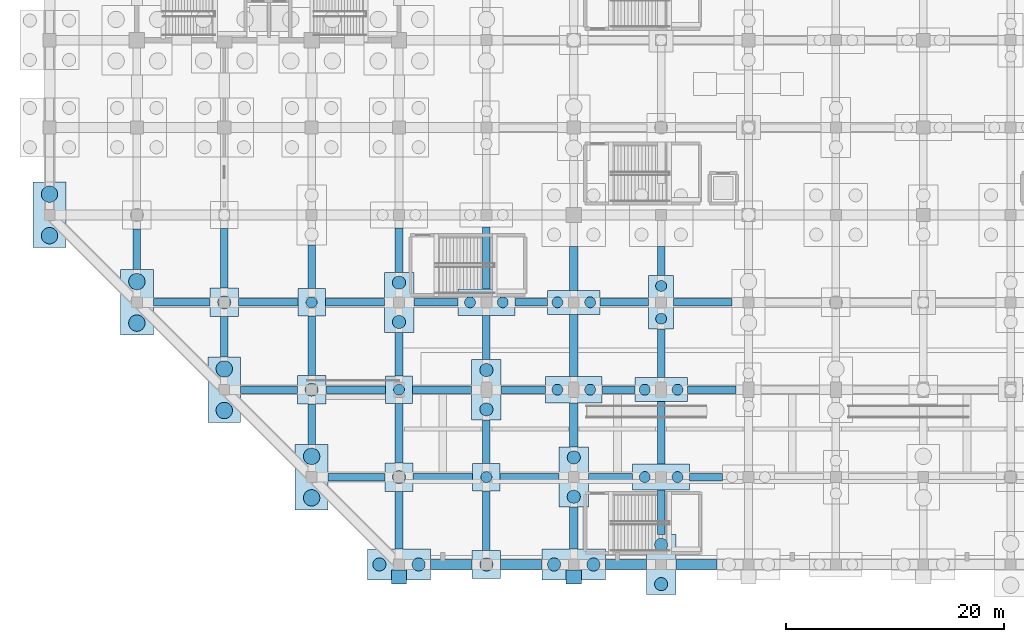
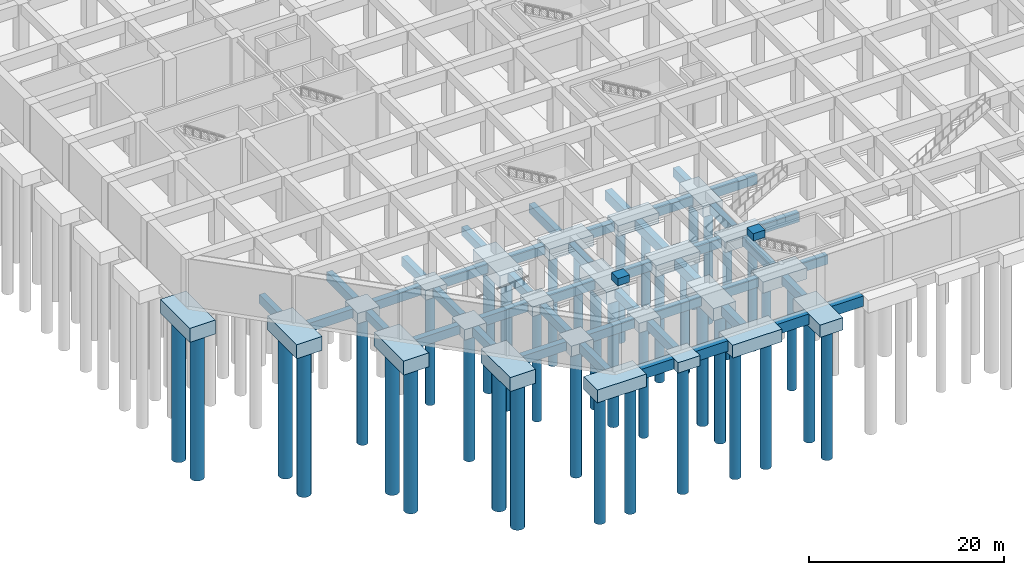
# One storey, part 1 of 26: 69 footings, 39 piles.
"""IFC4 building model written with IfcOpenShell, lengths in metres."""

from ifc_helpers import new_model, si_unit, direction, frame, origin, origin_2d, place, context, subcontext, project, spatial, rectangle, circle, extrude, material, material_profile, profile_set, type_object, element, save


model = new_model("IFC4")

# Units and contexts
model_context = context("Model", 3, precision=1e-05, world=origin(), true_north=direction((0.0, 1.0)))
body_context = subcontext(model_context, "Body", "Model", "MODEL_VIEW")
ifc_project = project(units=[si_unit("LENGTHUNIT", "METRE"), si_unit("AREAUNIT", "SQUARE_METRE"), si_unit("VOLUMEUNIT", "CUBIC_METRE"), si_unit("PLANEANGLEUNIT", "RADIAN"), si_unit("MASSUNIT", "GRAM", prefix="KILO")], contexts=[model_context])

# Site, building, storey
site_placement = place(None, origin())
site = spatial("IfcSite", under=ifc_project, at=site_placement, CompositionType="ELEMENT")
building_placement = place(site_placement, origin())
building = spatial("IfcBuilding", under=site, at=building_placement, Name="Varnela Railside Interchange", CompositionType="ELEMENT")
storey_placement = place(building_placement, frame((0.0, 0.0, -12.60009765625)))
storey = spatial("IfcBuildingStorey", under=building, at=storey_placement, Name="B2", CompositionType="ELEMENT", Elevation=-12.60009765625)

# Piles
ifc_material_1 = material(Name="Concrete C40", Category="concrete")
ifc_material_profile_1 = material_profile(ifc_material_1, circle(Radius=0.5, at=origin_2d()), Name="BORED PILE D1000")
ifc_profile_set_1 = profile_set([ifc_material_profile_1], Name="Concrete C40")
pile_type_1 = type_object("IfcPileType", Name="Bored Pile D1000 L14m", PredefinedType="BORED", material=ifc_profile_set_1)
for number, where, z_axis, x_axis, name in (
    (1, (28.0, 30.0, -2.0), (0.0, 0.0, -1.0), (1.0, 0.0, 0.0), "Bored Pile D1000 L14m"),
    (2, (36.0, 22.0, -2.0), (0.0, 0.0, -1.0), (1.0, 0.0, 0.0), "Bored Pile D1000 L14m"),
    (3, (44.0, 14.0, -2.0), (0.0, 0.0, -1.0), (1.0, 0.0, 0.0), "Bored Pile D1000 L14m"),
    (4, (42.5, 30.0, -2.199951171875), (0.0, 0.0, -1.0), (1.0, 0.0, 0.0), "Bored Pile D1000 L14m"),
    (5, (45.5, 30.0, -2.199951171875), (0.0, 0.0, -1.0), (1.0, 0.0, 0.0), "Bored Pile D1000 L14m"),
    (6, (50.5, 22.0, -2.199951171875), (0.0, 0.0, -1.0), (1.0, 0.0, 0.0), "Bored Pile D1000 L14m"),
    (7, (53.5, 22.0, -2.199951171875), (0.0, 0.0, -1.0), (1.0, 0.0, 0.0), "Bored Pile D1000 L14m"),
    (8, (50.5, 30.0, -2.099853515625), (0.0, 0.0, -1.0), (1.0, 0.0, 0.0), "Bored Pile D1000 L14m"),
    (9, (53.5, 30.0, -2.099853515625), (0.0, 0.0, -1.0), (1.0, 0.0, 0.0), "Bored Pile D1000 L14m"),
    (10, (58.5, 14.0, -2.199951171875), (0.0, 0.0, -1.0), (1.0, 0.0, 0.0), "Bored Pile D1000 L14m"),
    (11, (61.5, 14.0, -2.199951171875), (0.0, 0.0, -1.0), (1.0, 0.0, 0.0), "Bored Pile D1000 L14m"),
    (12, (58.5, 22.0, -2.099853515625), (0.0, 0.0, -1.0), (1.0, 0.0, 0.0), "Bored Pile D1000 L14m"),
    (13, (61.5, 22.0, -2.099853515625), (0.0, 0.0, -1.0), (1.0, 0.0, 0.0), "Bored Pile D1000 L14m"),
    (14, (60.0, 28.5, -2.14990234375), (0.0, 0.0, -1.0), (1.0, 0.0, 0.0), "Bored Pile D1000 L14m"),
    (15, (60.0, 31.5, -2.14990234375), (0.0, 0.0, -1.0), (1.0, 0.0, 0.0), "Bored Pile D1000 L14m"),
):
    element("IfcPile", number, at=place(storey_placement, frame(where, z_axis=z_axis, x_axis=x_axis)), inside=storey, type_object=pile_type_1, Name=name, PredefinedType="BORED", context=body_context, shape_type="SweptSolid", body=[
        extrude(circle(Radius=0.5, at=origin_2d()), origin(), (0.0, 0.0, 1.0), 14.0),
    ])
ifc_material_profile_2 = material_profile(ifc_material_1, circle(Radius=0.60009765625, at=origin_2d()), Name="BORED PILE D1200")
ifc_profile_set_2 = profile_set([ifc_material_profile_2], Name="Concrete C40")
pile_type_2 = type_object("IfcPileType", Name="Bored Pile D1200 L16m", PredefinedType="BORED", material=ifc_profile_set_2)
for number, where, z_axis, x_axis, name in (
    (16, (20.0, 30.0, -2.099853515625), (0.0, 0.0, -1.0), (1.0, 0.0, 0.0), "Bored Pile D1200 L16m"),
    (17, (28.0, 22.0, -2.099853515625), (0.0, 0.0, -1.0), (1.0, 0.0, 0.0), "Bored Pile D1200 L16m"),
    (18, (34.199951171875, 6.0, -2.39990234375), (0.0, 0.0, -1.0), (1.0, 0.0, 0.0), "Bored Pile D1200 L16m"),
    (19, (37.800048828125, 6.0, -2.39990234375), (0.0, 0.0, -1.0), (1.0, 0.0, 0.0), "Bored Pile D1200 L16m"),
    (20, (36.0, 14.0, -2.099853515625), (0.0, 0.0, -1.0), (1.0, 0.0, 0.0), "Bored Pile D1200 L16m"),
    (21, (36.0, 28.199951171875, -2.349853515625), (0.0, 0.0, -1.0), (1.0, 0.0, 0.0), "Bored Pile D1200 L16m"),
    (22, (36.0, 31.800048828125, -2.349853515625), (0.0, 0.0, -1.0), (1.0, 0.0, 0.0), "Bored Pile D1200 L16m"),
    (23, (44.0, 6.0, -2.099853515625), (0.0, 0.0, -1.0), (1.0, 0.0, 0.0), "Bored Pile D1200 L16m"),
    (24, (44.0, 20.199951171875, -2.349853515625), (0.0, 0.0, -1.0), (1.0, 0.0, 0.0), "Bored Pile D1200 L16m"),
    (25, (44.0, 23.800048828125, -2.349853515625), (0.0, 0.0, -1.0), (1.0, 0.0, 0.0), "Bored Pile D1200 L16m"),
    (26, (50.199951171875, 6.0, -2.39990234375), (0.0, 0.0, -1.0), (1.0, 0.0, 0.0), "Bored Pile D1200 L16m"),
    (27, (53.800048828125, 6.0, -2.39990234375), (0.0, 0.0, -1.0), (1.0, 0.0, 0.0), "Bored Pile D1200 L16m"),
    (28, (52.0, 12.199951171875, -2.349853515625), (0.0, 0.0, -1.0), (1.0, 0.0, 0.0), "Bored Pile D1200 L16m"),
    (29, (52.0, 15.800048828125, -2.349853515625), (0.0, 0.0, -1.0), (1.0, 0.0, 0.0), "Bored Pile D1200 L16m"),
    (30, (60.0, 4.199951171875, -2.349853515625), (0.0, 0.0, -1.0), (1.0, 0.0, 0.0), "Bored Pile D1200 L16m"),
    (31, (60.0, 7.800048828125, -2.349853515625), (0.0, 0.0, -1.0), (1.0, 0.0, 0.0), "Bored Pile D1200 L16m"),
):
    element("IfcPile", number, at=place(storey_placement, frame(where, z_axis=z_axis, x_axis=x_axis)), inside=storey, type_object=pile_type_2, Name=name, PredefinedType="BORED", context=body_context, shape_type="SweptSolid", body=[
        extrude(circle(Radius=0.60009765625, at=origin_2d()), origin(), (0.0, 0.0, 1.0), 16.0),
    ])
ifc_material_profile_3 = material_profile(ifc_material_1, circle(Radius=0.75, at=origin_2d()), Name="BORED PILE D1500")
ifc_profile_set_3 = profile_set([ifc_material_profile_3], Name="Concrete C40")
pile_type_3 = type_object("IfcPileType", Name="Bored Pile D1500 L18m", PredefinedType="BORED", material=ifc_profile_set_3)
for number, where, z_axis, x_axis, name in (
    (32, (4.0, 36.10009765625, -2.5498046875), (0.0, 0.0, -1.0), (1.0, 0.0, 0.0), "Bored Pile D1500 L18m"),
    (33, (4.0, 39.89990234375, -2.5498046875), (0.0, 0.0, -1.0), (1.0, 0.0, 0.0), "Bored Pile D1500 L18m"),
    (34, (12.0, 28.10009765625, -2.5498046875), (0.0, 0.0, -1.0), (1.0, 0.0, 0.0), "Bored Pile D1500 L18m"),
    (35, (12.0, 31.89990234375, -2.5498046875), (0.0, 0.0, -1.0), (1.0, 0.0, 0.0), "Bored Pile D1500 L18m"),
    (36, (20.0, 20.10009765625, -2.5498046875), (0.0, 0.0, -1.0), (1.0, 0.0, 0.0), "Bored Pile D1500 L18m"),
    (37, (20.0, 23.89990234375, -2.5498046875), (0.0, 0.0, -1.0), (1.0, 0.0, 0.0), "Bored Pile D1500 L18m"),
    (38, (28.0, 12.10009765625, -2.5498046875), (0.0, 0.0, -1.0), (1.0, 0.0, 0.0), "Bored Pile D1500 L18m"),
    (39, (28.0, 15.89990234375, -2.5498046875), (0.0, 0.0, -1.0), (1.0, 0.0, 0.0), "Bored Pile D1500 L18m"),
):
    element("IfcPile", number, at=place(storey_placement, frame(where, z_axis=z_axis, x_axis=x_axis)), inside=storey, type_object=pile_type_3, Name=name, PredefinedType="BORED", context=body_context, shape_type="SweptSolid", body=[
        extrude(circle(Radius=0.75, at=origin_2d()), origin(), (0.0, 0.0, 1.0), 18.0),
    ])

# Footings
ifc_material_2 = material(Name="Concrete C50", Category="concrete")
footing_type_1 = type_object("IfcFootingType", Name="Ground Tie Beam GB-01", PredefinedType="FOOTING_BEAM", material=ifc_material_2)
for number, where, z_axis, x_axis, name in (
    (40, (12.0, 34.85009765625, -1.89990234375), (0.0, 0.0, 1.0), (1.0, 0.0, 0.0), "Ground Tie Beam GB-01 (FT-0479)"),
    (41, (20.0, 26.85009765625, -1.89990234375), (0.0, 0.0, 1.0), (1.0, 0.0, 0.0), "Ground Tie Beam GB-01 (FT-0487)"),
):
    element("IfcFooting", number, at=place(storey_placement, frame(where, z_axis=z_axis, x_axis=x_axis)), inside=storey, type_object=footing_type_1, Name=name, PredefinedType="FOOTING_BEAM", context=body_context, shape_type="SweptSolid", body=[
        extrude(rectangle(XDim=0.699951171875, YDim=3.699951171875, at=origin_2d()), origin(), (0.0, 0.0, 1.0), 1.10009765625),
    ])
footing_1_placement = place(storey_placement, frame((20.0, 34.02490234375, -1.89990234375), z_axis=(0.0, 0.0, 1.0), x_axis=(1.0, 0.0, 0.0)))
element("IfcFooting", 42, at=footing_1_placement, inside=storey, type_object=footing_type_1, Name="Ground Tie Beam GB-01 (FT-0488)", PredefinedType="FOOTING_BEAM", context=body_context, shape_type="SweptSolid", body=[
    extrude(rectangle(XDim=0.699951171875, YDim=5.449951171875, at=origin_2d()), origin(), (0.0, 0.0, 1.0), 1.10009765625),
])
footing_2_placement = place(storey_placement, frame((28.0, 18.85009765625, -1.89990234375), z_axis=(0.0, 0.0, 1.0), x_axis=(1.0, 0.0, 0.0)))
element("IfcFooting", 43, at=footing_2_placement, inside=storey, type_object=footing_type_1, Name="Ground Tie Beam GB-01 (FT-0493)", PredefinedType="FOOTING_BEAM", context=body_context, shape_type="SweptSolid", body=[
    extrude(rectangle(XDim=0.699951171875, YDim=3.699951171875, at=origin_2d()), origin(), (0.0, 0.0, 1.0), 1.10009765625),
])
footing_3_placement = place(storey_placement, frame((28.0, 26.02490234375, -1.89990234375), z_axis=(0.0, 0.0, 1.0), x_axis=(1.0, 0.0, 0.0)))
element("IfcFooting", 44, at=footing_3_placement, inside=storey, type_object=footing_type_1, Name="Ground Tie Beam GB-01 (FT-0495)", PredefinedType="FOOTING_BEAM", context=body_context, shape_type="SweptSolid", body=[
    extrude(rectangle(XDim=0.699951171875, YDim=5.449951171875, at=origin_2d()), origin(), (0.0, 0.0, 1.0), 1.10009765625),
])
footing_4_placement = place(storey_placement, frame((28.0, 33.25, -1.89990234375), z_axis=(0.0, 0.0, 1.0), x_axis=(1.0, 0.0, 0.0)))
element("IfcFooting", 45, at=footing_4_placement, inside=storey, type_object=footing_type_1, Name="Ground Tie Beam GB-01 (FT-0496)", PredefinedType="FOOTING_BEAM", context=body_context, shape_type="SweptSolid", body=[
    extrude(rectangle(XDim=0.699951171875, YDim=4.0, at=origin_2d()), origin(), (0.0, 0.0, 1.0), 1.10009765625),
])
footing_5_placement = place(storey_placement, frame((36.0, 10.050048828125, -1.89990234375), z_axis=(0.0, 0.0, 1.0), x_axis=(1.0, 0.0, 0.0)))
element("IfcFooting", 46, at=footing_5_placement, inside=storey, type_object=footing_type_1, Name="Ground Tie Beam GB-01 (FT-0501)", PredefinedType="FOOTING_BEAM", context=body_context, shape_type="SweptSolid", body=[
    extrude(rectangle(XDim=0.699951171875, YDim=5.300048828125, at=origin_2d()), origin(), (0.0, 0.0, 1.0), 1.10009765625),
])
footing_6_placement = place(storey_placement, frame((36.0, 18.02490234375, -1.89990234375), z_axis=(0.0, 0.0, 1.0), x_axis=(1.0, 0.0, 0.0)))
element("IfcFooting", 47, at=footing_6_placement, inside=storey, type_object=footing_type_1, Name="Ground Tie Beam GB-01 (FT-0502)", PredefinedType="FOOTING_BEAM", context=body_context, shape_type="SweptSolid", body=[
    extrude(rectangle(XDim=0.699951171875, YDim=5.449951171875, at=origin_2d()), origin(), (0.0, 0.0, 1.0), 1.10009765625),
])
footing_7_placement = place(storey_placement, frame((36.0, 25.25, -1.89990234375), z_axis=(0.0, 0.0, 1.0), x_axis=(1.0, 0.0, 0.0)))
element("IfcFooting", 48, at=footing_7_placement, inside=storey, type_object=footing_type_1, Name="Ground Tie Beam GB-01 (FT-0504)", PredefinedType="FOOTING_BEAM", context=body_context, shape_type="SweptSolid", body=[
    extrude(rectangle(XDim=0.699951171875, YDim=4.0, at=origin_2d()), origin(), (0.0, 0.0, 1.0), 1.10009765625),
])
footing_8_placement = place(storey_placement, frame((36.0, 34.77490234375, -1.89990234375), z_axis=(0.0, 0.0, 1.0), x_axis=(1.0, 0.0, 0.0)))
element("IfcFooting", 49, at=footing_8_placement, inside=storey, type_object=footing_type_1, Name="Ground Tie Beam GB-01 (FT-0505)", PredefinedType="FOOTING_BEAM", context=body_context, shape_type="SweptSolid", body=[
    extrude(rectangle(XDim=0.699951171875, YDim=4.050048828125, at=origin_2d()), origin(), (0.0, 0.0, 1.0), 1.10009765625),
])
footing_9_placement = place(storey_placement, frame((44.0, 10.02490234375, -1.89990234375), z_axis=(0.0, 0.0, 1.0), x_axis=(1.0, 0.0, 0.0)))
element("IfcFooting", 50, at=footing_9_placement, inside=storey, type_object=footing_type_1, Name="Ground Tie Beam GB-01 (FT-0512)", PredefinedType="FOOTING_BEAM", context=body_context, shape_type="SweptSolid", body=[
    extrude(rectangle(XDim=0.699951171875, YDim=5.449951171875, at=origin_2d()), origin(), (0.0, 0.0, 1.0), 1.10009765625),
])
footing_10_placement = place(storey_placement, frame((44.0, 17.25, -1.89990234375), z_axis=(0.0, 0.0, 1.0), x_axis=(1.0, 0.0, 0.0)))
element("IfcFooting", 51, at=footing_10_placement, inside=storey, type_object=footing_type_1, Name="Ground Tie Beam GB-01 (FT-0513)", PredefinedType="FOOTING_BEAM", context=body_context, shape_type="SweptSolid", body=[
    extrude(rectangle(XDim=0.699951171875, YDim=4.0, at=origin_2d()), origin(), (0.0, 0.0, 1.0), 1.10009765625),
])
footing_11_placement = place(storey_placement, frame((44.0, 26.77490234375, -1.89990234375), z_axis=(0.0, 0.0, 1.0), x_axis=(1.0, 0.0, 0.0)))
element("IfcFooting", 52, at=footing_11_placement, inside=storey, type_object=footing_type_1, Name="Ground Tie Beam GB-01 (FT-0515)", PredefinedType="FOOTING_BEAM", context=body_context, shape_type="SweptSolid", body=[
    extrude(rectangle(XDim=0.699951171875, YDim=4.050048828125, at=origin_2d()), origin(), (0.0, 0.0, 1.0), 1.10009765625),
])
footing_12_placement = place(storey_placement, frame((44.0, 34.050048828125, -1.89990234375), z_axis=(0.0, 0.0, 1.0), x_axis=(1.0, 0.0, 0.0)))
element("IfcFooting", 53, at=footing_12_placement, inside=storey, type_object=footing_type_1, Name="Ground Tie Beam GB-01 (FT-0516)", PredefinedType="FOOTING_BEAM", context=body_context, shape_type="SweptSolid", body=[
    extrude(rectangle(XDim=0.699951171875, YDim=5.699951171875, at=origin_2d()), origin(), (0.0, 0.0, 1.0), 1.10009765625),
])
footing_13_placement = place(storey_placement, frame((60.0, 10.77490234375, -1.89990234375), z_axis=(0.0, 0.0, 1.0), x_axis=(1.0, 0.0, 0.0)))
element("IfcFooting", 54, at=footing_13_placement, inside=storey, type_object=footing_type_1, Name="Ground Tie Beam GB-01 (FT-0534)", PredefinedType="FOOTING_BEAM", context=body_context, shape_type="SweptSolid", body=[
    extrude(rectangle(XDim=0.699951171875, YDim=4.050048828125, at=origin_2d()), origin(), (0.0, 0.0, 1.0), 1.10009765625),
])
footing_14_placement = place(storey_placement, frame((60.0, 18.050048828125, -1.89990234375), z_axis=(0.0, 0.0, 1.0), x_axis=(1.0, 0.0, 0.0)))
element("IfcFooting", 55, at=footing_14_placement, inside=storey, type_object=footing_type_1, Name="Ground Tie Beam GB-01 (FT-0535)", PredefinedType="FOOTING_BEAM", context=body_context, shape_type="SweptSolid", body=[
    extrude(rectangle(XDim=0.699951171875, YDim=5.699951171875, at=origin_2d()), origin(), (0.0, 0.0, 1.0), 1.10009765625),
])
footing_15_placement = place(storey_placement, frame((60.0, 25.324951171875, -1.89990234375), z_axis=(0.0, 0.0, 1.0), x_axis=(1.0, 0.0, 0.0)))
element("IfcFooting", 56, at=footing_15_placement, inside=storey, type_object=footing_type_1, Name="Ground Tie Beam GB-01 (FT-0536)", PredefinedType="FOOTING_BEAM", context=body_context, shape_type="SweptSolid", body=[
    extrude(rectangle(XDim=0.699951171875, YDim=4.449951171875, at=origin_2d()), origin(), (0.0, 0.0, 1.0), 1.10009765625),
])
footing_16_placement = place(storey_placement, frame((60.0, 33.77490234375, -1.89990234375), z_axis=(0.0, 0.0, 1.0), x_axis=(1.0, 0.0, 0.0)))
element("IfcFooting", 57, at=footing_16_placement, inside=storey, type_object=footing_type_1, Name="Ground Tie Beam GB-01 (FT-0537)", PredefinedType="FOOTING_BEAM", context=body_context, shape_type="SweptSolid", body=[
    extrude(rectangle(XDim=0.699951171875, YDim=2.64990234375, at=origin_2d()), origin(), (0.0, 0.0, 1.0), 1.10009765625),
])
footing_17_placement = place(storey_placement, frame((32.10009765625, 14.0, -1.89990234375), z_axis=(0.0, 0.0, 1.0), x_axis=(1.0, 0.0, 0.0)))
element("IfcFooting", 58, at=footing_17_placement, inside=storey, type_object=footing_type_1, Name="Ground Tie Beam GB-01 (FT-0227)", PredefinedType="FOOTING_BEAM", context=body_context, shape_type="SweptSolid", body=[
    extrude(rectangle(XDim=5.199951171875, YDim=0.699951171875, at=origin_2d()), origin(), (0.0, 0.0, 1.0), 1.10009765625),
])
footing_18_placement = place(storey_placement, frame((40.02490234375, 14.0, -1.89990234375), z_axis=(0.0, 0.0, 1.0), x_axis=(1.0, 0.0, 0.0)))
element("IfcFooting", 59, at=footing_18_placement, inside=storey, type_object=footing_type_1, Name="Ground Tie Beam GB-01 (FT-0228)", PredefinedType="FOOTING_BEAM", context=body_context, shape_type="SweptSolid", body=[
    extrude(rectangle(XDim=5.449951171875, YDim=0.699951171875, at=origin_2d()), origin(), (0.0, 0.0, 1.0), 1.10009765625),
])
footing_19_placement = place(storey_placement, frame((47.949951171875, 14.0, -1.89990234375), z_axis=(0.0, 0.0, 1.0), x_axis=(1.0, 0.0, 0.0)))
element("IfcFooting", 60, at=footing_19_placement, inside=storey, type_object=footing_type_1, Name="Ground Tie Beam GB-01 (FT-0229)", PredefinedType="FOOTING_BEAM", context=body_context, shape_type="SweptSolid", body=[
    extrude(rectangle(XDim=5.39990234375, YDim=0.699951171875, at=origin_2d()), origin(), (0.0, 0.0, 1.0), 1.10009765625),
])
footing_20_placement = place(storey_placement, frame((55.375, 14.0, -1.89990234375), z_axis=(0.0, 0.0, 1.0), x_axis=(1.0, 0.0, 0.0)))
element("IfcFooting", 61, at=footing_20_placement, inside=storey, type_object=footing_type_1, Name="Ground Tie Beam GB-01 (FT-0230)", PredefinedType="FOOTING_BEAM", context=body_context, shape_type="SweptSolid", body=[
    extrude(rectangle(XDim=4.050048828125, YDim=0.699951171875, at=origin_2d()), origin(), (0.0, 0.0, 1.0), 1.10009765625),
])
footing_21_placement = place(storey_placement, frame((64.10009765625, 14.0, -1.89990234375), z_axis=(0.0, 0.0, 1.0), x_axis=(1.0, 0.0, 0.0)))
element("IfcFooting", 62, at=footing_21_placement, inside=storey, type_object=footing_type_1, Name="Ground Tie Beam GB-01 (FT-0231)", PredefinedType="FOOTING_BEAM", context=body_context, shape_type="SweptSolid", body=[
    extrude(rectangle(XDim=3.0, YDim=0.699951171875, at=origin_2d()), origin(), (0.0, 0.0, 1.0), 1.10009765625),
])
footing_22_placement = place(storey_placement, frame((24.10009765625, 22.0, -1.89990234375), z_axis=(0.0, 0.0, 1.0), x_axis=(1.0, 0.0, 0.0)))
element("IfcFooting", 63, at=footing_22_placement, inside=storey, type_object=footing_type_1, Name="Ground Tie Beam GB-01 (FT-0242)", PredefinedType="FOOTING_BEAM", context=body_context, shape_type="SweptSolid", body=[
    extrude(rectangle(XDim=5.199951171875, YDim=0.699951171875, at=origin_2d()), origin(), (0.0, 0.0, 1.0), 1.10009765625),
])
footing_23_placement = place(storey_placement, frame((32.02490234375, 22.0, -1.89990234375), z_axis=(0.0, 0.0, 1.0), x_axis=(1.0, 0.0, 0.0)))
element("IfcFooting", 64, at=footing_23_placement, inside=storey, type_object=footing_type_1, Name="Ground Tie Beam GB-01 (FT-0243)", PredefinedType="FOOTING_BEAM", context=body_context, shape_type="SweptSolid", body=[
    extrude(rectangle(XDim=5.449951171875, YDim=0.699951171875, at=origin_2d()), origin(), (0.0, 0.0, 1.0), 1.10009765625),
])
footing_24_placement = place(storey_placement, frame((39.949951171875, 22.0, -1.89990234375), z_axis=(0.0, 0.0, 1.0), x_axis=(1.0, 0.0, 0.0)))
element("IfcFooting", 65, at=footing_24_placement, inside=storey, type_object=footing_type_1, Name="Ground Tie Beam GB-01 (FT-0244)", PredefinedType="FOOTING_BEAM", context=body_context, shape_type="SweptSolid", body=[
    extrude(rectangle(XDim=5.39990234375, YDim=0.699951171875, at=origin_2d()), origin(), (0.0, 0.0, 1.0), 1.10009765625),
])
footing_25_placement = place(storey_placement, frame((47.375, 22.0, -1.89990234375), z_axis=(0.0, 0.0, 1.0), x_axis=(1.0, 0.0, 0.0)))
element("IfcFooting", 66, at=footing_25_placement, inside=storey, type_object=footing_type_1, Name="Ground Tie Beam GB-01 (FT-0245)", PredefinedType="FOOTING_BEAM", context=body_context, shape_type="SweptSolid", body=[
    extrude(rectangle(XDim=4.050048828125, YDim=0.699951171875, at=origin_2d()), origin(), (0.0, 0.0, 1.0), 1.10009765625),
])
footing_26_placement = place(storey_placement, frame((56.10009765625, 22.0, -1.89990234375), z_axis=(0.0, 0.0, 1.0), x_axis=(1.0, 0.0, 0.0)))
element("IfcFooting", 67, at=footing_26_placement, inside=storey, type_object=footing_type_1, Name="Ground Tie Beam GB-01 (FT-0246)", PredefinedType="FOOTING_BEAM", context=body_context, shape_type="SweptSolid", body=[
    extrude(rectangle(XDim=3.0, YDim=0.699951171875, at=origin_2d()), origin(), (0.0, 0.0, 1.0), 1.10009765625),
])
footing_27_placement = place(storey_placement, frame((64.625, 22.0, -1.89990234375), z_axis=(0.0, 0.0, 1.0), x_axis=(1.0, 0.0, 0.0)))
element("IfcFooting", 68, at=footing_27_placement, inside=storey, type_object=footing_type_1, Name="Ground Tie Beam GB-01 (FT-0247)", PredefinedType="FOOTING_BEAM", context=body_context, shape_type="SweptSolid", body=[
    extrude(rectangle(XDim=4.449951171875, YDim=0.699951171875, at=origin_2d()), origin(), (0.0, 0.0, 1.0), 1.10009765625),
])
footing_28_placement = place(storey_placement, frame((16.10009765625, 30.0, -1.89990234375), z_axis=(0.0, 0.0, 1.0), x_axis=(1.0, 0.0, 0.0)))
element("IfcFooting", 69, at=footing_28_placement, inside=storey, type_object=footing_type_1, Name="Ground Tie Beam GB-01 (FT-0250)", PredefinedType="FOOTING_BEAM", context=body_context, shape_type="SweptSolid", body=[
    extrude(rectangle(XDim=5.199951171875, YDim=0.699951171875, at=origin_2d()), origin(), (0.0, 0.0, 1.0), 1.10009765625),
])
footing_29_placement = place(storey_placement, frame((24.02490234375, 30.0, -1.89990234375), z_axis=(0.0, 0.0, 1.0), x_axis=(1.0, 0.0, 0.0)))
element("IfcFooting", 70, at=footing_29_placement, inside=storey, type_object=footing_type_1, Name="Ground Tie Beam GB-01 (FT-0260)", PredefinedType="FOOTING_BEAM", context=body_context, shape_type="SweptSolid", body=[
    extrude(rectangle(XDim=5.449951171875, YDim=0.699951171875, at=origin_2d()), origin(), (0.0, 0.0, 1.0), 1.10009765625),
])
footing_30_placement = place(storey_placement, frame((31.949951171875, 30.0, -1.89990234375), z_axis=(0.0, 0.0, 1.0), x_axis=(1.0, 0.0, 0.0)))
element("IfcFooting", 71, at=footing_30_placement, inside=storey, type_object=footing_type_1, Name="Ground Tie Beam GB-01 (FT-0261)", PredefinedType="FOOTING_BEAM", context=body_context, shape_type="SweptSolid", body=[
    extrude(rectangle(XDim=5.39990234375, YDim=0.699951171875, at=origin_2d()), origin(), (0.0, 0.0, 1.0), 1.10009765625),
])
footing_31_placement = place(storey_placement, frame((39.375, 30.0, -1.89990234375), z_axis=(0.0, 0.0, 1.0), x_axis=(1.0, 0.0, 0.0)))
element("IfcFooting", 72, at=footing_31_placement, inside=storey, type_object=footing_type_1, Name="Ground Tie Beam GB-01 (FT-0262)", PredefinedType="FOOTING_BEAM", context=body_context, shape_type="SweptSolid", body=[
    extrude(rectangle(XDim=4.050048828125, YDim=0.699951171875, at=origin_2d()), origin(), (0.0, 0.0, 1.0), 1.10009765625),
])
footing_32_placement = place(storey_placement, frame((48.10009765625, 30.0, -1.89990234375), z_axis=(0.0, 0.0, 1.0), x_axis=(1.0, 0.0, 0.0)))
element("IfcFooting", 73, at=footing_32_placement, inside=storey, type_object=footing_type_1, Name="Ground Tie Beam GB-01 (FT-0263)", PredefinedType="FOOTING_BEAM", context=body_context, shape_type="SweptSolid", body=[
    extrude(rectangle(XDim=3.0, YDim=0.699951171875, at=origin_2d()), origin(), (0.0, 0.0, 1.0), 1.10009765625),
])
footing_33_placement = place(storey_placement, frame((56.625, 30.0, -1.89990234375), z_axis=(0.0, 0.0, 1.0), x_axis=(1.0, 0.0, 0.0)))
element("IfcFooting", 74, at=footing_33_placement, inside=storey, type_object=footing_type_1, Name="Ground Tie Beam GB-01 (FT-0264)", PredefinedType="FOOTING_BEAM", context=body_context, shape_type="SweptSolid", body=[
    extrude(rectangle(XDim=4.449951171875, YDim=0.699951171875, at=origin_2d()), origin(), (0.0, 0.0, 1.0), 1.10009765625),
])
footing_34_placement = place(storey_placement, frame((63.824951171875, 30.0, -1.89990234375), z_axis=(0.0, 0.0, 1.0), x_axis=(1.0, 0.0, 0.0)))
element("IfcFooting", 75, at=footing_34_placement, inside=storey, type_object=footing_type_1, Name="Ground Tie Beam GB-01 (FT-0265)", PredefinedType="FOOTING_BEAM", context=body_context, shape_type="SweptSolid", body=[
    extrude(rectangle(XDim=5.35009765625, YDim=0.699951171875, at=origin_2d()), origin(), (0.0, 0.0, 1.0), 1.10009765625),
])
footing_type_2 = type_object("IfcFootingType", Name="Ground Tie Beam GB-02", PredefinedType="FOOTING_BEAM", material=ifc_material_2)
footing_35_placement = place(storey_placement, frame((52.0, 9.324951171875, -2.0), z_axis=(0.0, 0.0, 1.0), x_axis=(1.0, 0.0, 0.0)))
element("IfcFooting", 76, at=footing_35_placement, inside=storey, type_object=footing_type_2, Name="Ground Tie Beam GB-02 (FT-0523)", PredefinedType="FOOTING_BEAM", context=body_context, shape_type="SweptSolid", body=[
    extrude(rectangle(XDim=0.800048828125, YDim=3.85009765625, at=origin_2d()), origin(), (0.0, 0.0, 1.0), 1.199951171875),
])
footing_36_placement = place(storey_placement, frame((52.0, 18.77490234375, -2.0), z_axis=(0.0, 0.0, 1.0), x_axis=(1.0, 0.0, 0.0)))
element("IfcFooting", 77, at=footing_36_placement, inside=storey, type_object=footing_type_2, Name="Ground Tie Beam GB-02 (FT-0524)", PredefinedType="FOOTING_BEAM", context=body_context, shape_type="SweptSolid", body=[
    extrude(rectangle(XDim=0.800048828125, YDim=4.050048828125, at=origin_2d()), origin(), (0.0, 0.0, 1.0), 1.199951171875),
])
footing_37_placement = place(storey_placement, frame((52.0, 26.050048828125, -2.0), z_axis=(0.0, 0.0, 1.0), x_axis=(1.0, 0.0, 0.0)))
element("IfcFooting", 78, at=footing_37_placement, inside=storey, type_object=footing_type_2, Name="Ground Tie Beam GB-02 (FT-0526)", PredefinedType="FOOTING_BEAM", context=body_context, shape_type="SweptSolid", body=[
    extrude(rectangle(XDim=0.800048828125, YDim=5.699951171875, at=origin_2d()), origin(), (0.0, 0.0, 1.0), 1.199951171875),
])
footing_38_placement = place(storey_placement, frame((52.0, 33.10009765625, -2.0), z_axis=(0.0, 0.0, 1.0), x_axis=(1.0, 0.0, 0.0)))
element("IfcFooting", 79, at=footing_38_placement, inside=storey, type_object=footing_type_2, Name="Ground Tie Beam GB-02 (FT-0527)", PredefinedType="FOOTING_BEAM", context=body_context, shape_type="SweptSolid", body=[
    extrude(rectangle(XDim=0.800048828125, YDim=4.0, at=origin_2d()), origin(), (0.0, 0.0, 1.0), 1.199951171875),
])
footing_type_3 = type_object("IfcFootingType", Name="Ground Tie Beam GB-03", PredefinedType="FOOTING_BEAM", material=ifc_material_2)
for number, where, z_axis, x_axis, name in (
    (80, (40.800048828125, 6.0, -2.10009765625), (0.0, 0.0, 1.0), (1.0, 0.0, 0.0), "Ground Tie Beam GB-03 (FT-0214)"),
    (81, (47.199951171875, 6.0, -2.10009765625), (0.0, 0.0, 1.0), (1.0, 0.0, 0.0), "Ground Tie Beam GB-03 (FT-0215)"),
):
    element("IfcFooting", number, at=place(storey_placement, frame(where, z_axis=z_axis, x_axis=x_axis)), inside=storey, type_object=footing_type_3, Name=name, PredefinedType="FOOTING_BEAM", context=body_context, shape_type="SweptSolid", body=[
        extrude(rectangle(XDim=3.800048828125, YDim=0.89990234375, at=origin_2d()), origin(), (0.0, 0.0, 1.0), 1.300048828125),
    ])
for number, where, z_axis, x_axis, name in (
    (82, (56.77490234375, 6.0, -2.10009765625), (0.0, 0.0, 1.0), (1.0, 0.0, 0.0), "Ground Tie Beam GB-03 (FT-0216)"),
    (83, (63.22509765625, 6.0, -2.10009765625), (0.0, 0.0, 1.0), (1.0, 0.0, 0.0), "Ground Tie Beam GB-03 (FT-0217)"),
):
    element("IfcFooting", number, at=place(storey_placement, frame(where, z_axis=z_axis, x_axis=x_axis)), inside=storey, type_object=footing_type_3, Name=name, PredefinedType="FOOTING_BEAM", context=body_context, shape_type="SweptSolid", body=[
        extrude(rectangle(XDim=3.75, YDim=0.89990234375, at=origin_2d()), origin(), (0.0, 0.0, 1.0), 1.300048828125),
    ])
footing_type_4 = type_object("IfcFootingType", Name="Portal Plinth Pad AP-03", PredefinedType="PAD_FOOTING", material=ifc_material_2)
for number, where, z_axis, x_axis, name in (
    (84, (36.0, 4.85009765625, 11.7001953125), (0.0, 0.0, 1.0), (1.0, 0.0, 0.0), "Portal Plinth Pad AP-03 (FT-0555)"),
    (85, (52.0, 4.85009765625, 11.7001953125), (0.0, 0.0, 1.0), (1.0, 0.0, 0.0), "Portal Plinth Pad AP-03 (FT-0556)"),
):
    element("IfcFooting", number, at=place(storey_placement, frame(where, z_axis=z_axis, x_axis=x_axis)), inside=storey, type_object=footing_type_4, Name=name, PredefinedType="PAD_FOOTING", context=body_context, shape_type="SweptSolid", body=[
        extrude(rectangle(XDim=1.39990234375, YDim=1.300048828125, at=origin_2d()), origin(), (0.0, 0.0, 1.0), 0.89990234375),
    ])
footing_type_5 = type_object("IfcFootingType", Name="Single Large Pile Cap PC-07", PredefinedType="PILE_CAP", material=ifc_material_2)
for number, where, z_axis, x_axis, name in (
    (86, (20.0, 30.0, -2.10009765625), (0.0, 0.0, 1.0), (1.0, 0.0, 0.0), "Single Large Pile Cap PC-07 (FT-0131)"),
    (87, (28.0, 22.0, -2.10009765625), (0.0, 0.0, 1.0), (1.0, 0.0, 0.0), "Single Large Pile Cap PC-07 (FT-0140)"),
    (88, (36.0, 14.0, -2.10009765625), (0.0, 0.0, 1.0), (1.0, 0.0, 0.0), "Single Large Pile Cap PC-07 (FT-0150)"),
    (89, (44.0, 6.0, -2.10009765625), (0.0, 0.0, 1.0), (1.0, 0.0, 0.0), "Single Large Pile Cap PC-07 (FT-0161)"),
):
    element("IfcFooting", number, at=place(storey_placement, frame(where, z_axis=z_axis, x_axis=x_axis)), inside=storey, type_object=footing_type_5, Name=name, PredefinedType="PILE_CAP", context=body_context, shape_type="SweptSolid", body=[
        extrude(rectangle(XDim=2.60009765625, YDim=2.60009765625, at=origin_2d()), origin(), (0.0, 0.0, 1.0), 1.300048828125),
    ])
footing_type_6 = type_object("IfcFootingType", Name="Single Pile Cap PC-02", PredefinedType="PILE_CAP", material=ifc_material_2)
for number, where, z_axis, x_axis, name in (
    (90, (28.0, 30.0, -2.0), (0.0, 0.0, 1.0), (1.0, 0.0, 0.0), "Single Pile Cap PC-02 (FT-0141)"),
    (91, (36.0, 22.0, -2.0), (0.0, 0.0, 1.0), (1.0, 0.0, 0.0), "Single Pile Cap PC-02 (FT-0151)"),
    (92, (44.0, 14.0, -2.0), (0.0, 0.0, 1.0), (1.0, 0.0, 0.0), "Single Pile Cap PC-02 (FT-0162)"),
):
    element("IfcFooting", number, at=place(storey_placement, frame(where, z_axis=z_axis, x_axis=x_axis)), inside=storey, type_object=footing_type_6, Name=name, PredefinedType="PILE_CAP", context=body_context, shape_type="SweptSolid", body=[
        extrude(rectangle(XDim=2.5, YDim=2.5, at=origin_2d()), origin(), (0.0, 0.0, 1.0), 1.199951171875),
    ])
footing_type_7 = type_object("IfcFootingType", Name="Two-Pile Cap Heavy PC-05", PredefinedType="PILE_CAP", material=ifc_material_2)
for number, where, z_axis, x_axis, name in (
    (93, (44.0, 30.0, -2.199951171875), (0.0, 0.0, 1.0), (1.0, 0.0, 0.0), "Two-Pile Cap Heavy PC-05 (FT-0164)"),
    (94, (52.0, 22.0, -2.199951171875), (0.0, 0.0, 1.0), (1.0, 0.0, 0.0), "Two-Pile Cap Heavy PC-05 (FT-0175)"),
    (95, (60.0, 14.0, -2.199951171875), (0.0, 0.0, 1.0), (1.0, 0.0, 0.0), "Two-Pile Cap Heavy PC-05 (FT-0186)"),
):
    element("IfcFooting", number, at=place(storey_placement, frame(where, z_axis=z_axis, x_axis=x_axis)), inside=storey, type_object=footing_type_7, Name=name, PredefinedType="PILE_CAP", context=body_context, shape_type="SweptSolid", body=[
        extrude(rectangle(XDim=5.199951171875, YDim=2.39990234375, at=origin_2d()), origin(), (0.0, 0.0, 1.0), 1.39990234375),
    ])
footing_type_8 = type_object("IfcFootingType", Name="Two-Pile Cap X PC-03", PredefinedType="PILE_CAP", material=ifc_material_2)
for number, where, z_axis, x_axis, name in (
    (96, (52.0, 30.0, -2.10009765625), (0.0, 0.0, 1.0), (1.0, 0.0, 0.0), "Two-Pile Cap X PC-03 (FT-0176)"),
    (97, (60.0, 22.0, -2.10009765625), (0.0, 0.0, 1.0), (1.0, 0.0, 0.0), "Two-Pile Cap X PC-03 (FT-0187)"),
):
    element("IfcFooting", number, at=place(storey_placement, frame(where, z_axis=z_axis, x_axis=x_axis)), inside=storey, type_object=footing_type_8, Name=name, PredefinedType="PILE_CAP", context=body_context, shape_type="SweptSolid", body=[
        extrude(rectangle(XDim=4.800048828125, YDim=2.199951171875, at=origin_2d()), origin(), (0.0, 0.0, 1.0), 1.300048828125),
    ])
footing_type_9 = type_object("IfcFootingType", Name="Two-Pile Cap Y D1200 PC-09", PredefinedType="PILE_CAP", material=ifc_material_2)
for number, where, z_axis, x_axis, name in (
    (98, (36.0, 30.0, -2.35009765625), (0.0, 0.0, 1.0), (1.0, 0.0, 0.0), "Two-Pile Cap Y D1200 PC-09 (FT-0152)"),
    (99, (44.0, 22.0, -2.35009765625), (0.0, 0.0, 1.0), (1.0, 0.0, 0.0), "Two-Pile Cap Y D1200 PC-09 (FT-0163)"),
    (100, (52.0, 14.0, -2.35009765625), (0.0, 0.0, 1.0), (1.0, 0.0, 0.0), "Two-Pile Cap Y D1200 PC-09 (FT-0174)"),
    (101, (60.0, 6.0, -2.35009765625), (0.0, 0.0, 1.0), (1.0, 0.0, 0.0), "Two-Pile Cap Y D1200 PC-09 (FT-0185)"),
):
    element("IfcFooting", number, at=place(storey_placement, frame(where, z_axis=z_axis, x_axis=x_axis)), inside=storey, type_object=footing_type_9, Name=name, PredefinedType="PILE_CAP", context=body_context, shape_type="SweptSolid", body=[
        extrude(rectangle(XDim=2.699951171875, YDim=5.5, at=origin_2d()), origin(), (0.0, 0.0, 1.0), 1.550048828125),
    ])
footing_type_10 = type_object("IfcFootingType", Name="Two-Pile Cap Y PC-04", PredefinedType="PILE_CAP", material=ifc_material_2)
footing_39_placement = place(storey_placement, frame((60.0, 30.0, -2.14990234375), z_axis=(0.0, 0.0, 1.0), x_axis=(1.0, 0.0, 0.0)))
element("IfcFooting", 102, at=footing_39_placement, inside=storey, type_object=footing_type_10, Name="Two-Pile Cap Y PC-04 (FT-0188)", PredefinedType="PILE_CAP", context=body_context, shape_type="SweptSolid", body=[
    extrude(rectangle(XDim=2.300048828125, YDim=4.89990234375, at=origin_2d()), origin(), (0.0, 0.0, 1.0), 1.35009765625),
])
footing_type_11 = type_object("IfcFootingType", Name="Two-Pile Heavy Cap Y PC-14", PredefinedType="PILE_CAP", material=ifc_material_2)
for number, where, z_axis, x_axis, name in (
    (103, (4.0, 38.0, -2.5498046875), (0.0, 0.0, 1.0), (1.0, 0.0, 0.0), "Two-Pile Heavy Cap Y PC-14 (FT-0104)"),
    (104, (12.0, 30.0, -2.5498046875), (0.0, 0.0, 1.0), (1.0, 0.0, 0.0), "Two-Pile Heavy Cap Y PC-14 (FT-0121)"),
    (105, (20.0, 22.0, -2.5498046875), (0.0, 0.0, 1.0), (1.0, 0.0, 0.0), "Two-Pile Heavy Cap Y PC-14 (FT-0130)"),
    (106, (28.0, 14.0, -2.5498046875), (0.0, 0.0, 1.0), (1.0, 0.0, 0.0), "Two-Pile Heavy Cap Y PC-14 (FT-0139)"),
):
    element("IfcFooting", number, at=place(storey_placement, frame(where, z_axis=z_axis, x_axis=x_axis)), inside=storey, type_object=footing_type_11, Name=name, PredefinedType="PILE_CAP", context=body_context, shape_type="SweptSolid", body=[
        extrude(rectangle(XDim=3.0, YDim=6.0, at=origin_2d()), origin(), (0.0, 0.0, 1.0), 1.75),
    ])
footing_type_12 = type_object("IfcFootingType", Name="Two-Pile V-Pier Cap PC-10", PredefinedType="PILE_CAP", material=ifc_material_2)
for number, where, z_axis, x_axis, name in (
    (107, (36.0, 6.0, -2.39990234375), (0.0, 0.0, 1.0), (1.0, 0.0, 0.0), "Two-Pile V-Pier Cap PC-10 (FT-0149)"),
    (108, (52.0, 6.0, -2.39990234375), (0.0, 0.0, 1.0), (1.0, 0.0, 0.0), "Two-Pile V-Pier Cap PC-10 (FT-0173)"),
):
    element("IfcFooting", number, at=place(storey_placement, frame(where, z_axis=z_axis, x_axis=x_axis)), inside=storey, type_object=footing_type_12, Name=name, PredefinedType="PILE_CAP", context=body_context, shape_type="SweptSolid", body=[
        extrude(rectangle(XDim=5.800048828125, YDim=2.800048828125, at=origin_2d()), origin(), (0.0, 0.0, 1.0), 1.60009765625),
    ])

save(model, "model.ifc")
